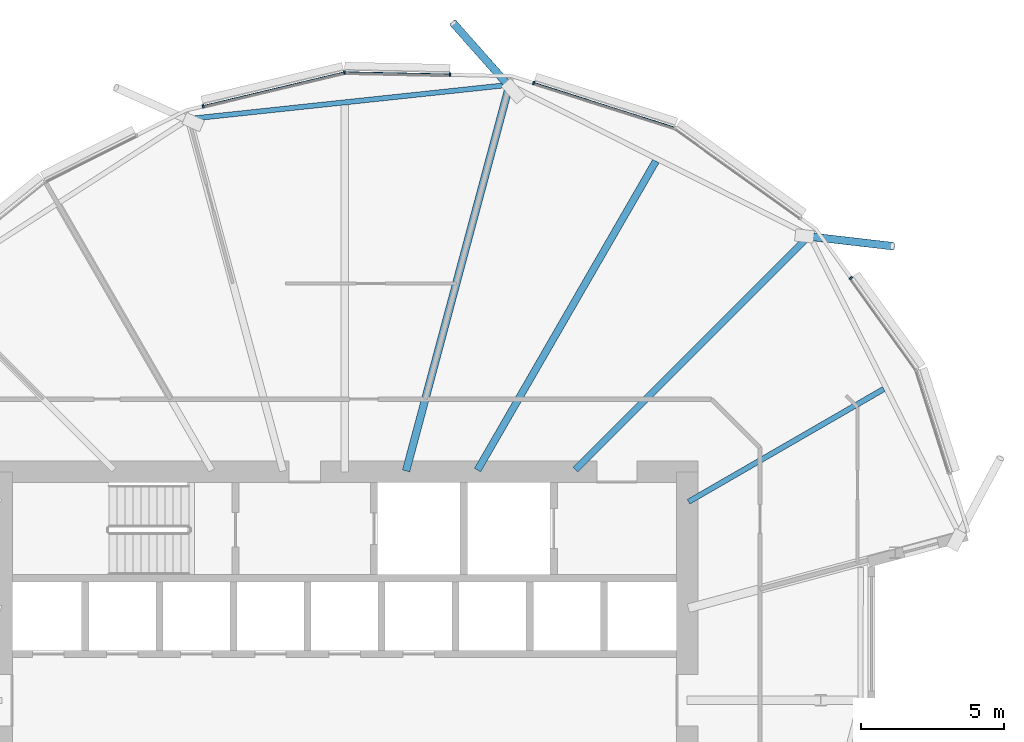
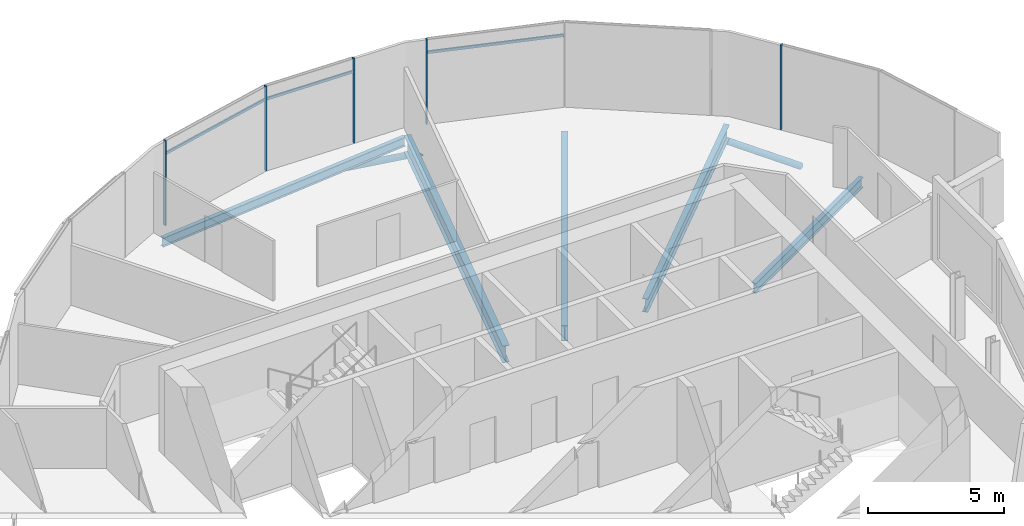
# One storey, part 18 of 39: 10 members, 5 beams, 1 element without a shape of its own.
"""IFC4 building model written with IfcOpenShell, lengths in metres."""

import ifcopenshell
import ifcopenshell.guid

model = None  # the IFC model being written
_history = None  # IfcOwnerHistory: only IFC2X3 demands one
_inside = {}  # id of a spatial element -> (the spatial element, [elements in it])
_under = {}  # id of a project, library or spatial element -> (it, [spatial elements below it])
_declared = {}  # id of a project -> (the project, [libraries it declares])
_typed = {}  # id of a type object -> (the type object, [elements of that type])
_made_of = {}  # id of a material, layer set ... -> (it, [elements and type objects made of it])


def new_model(schema):
    """Start an empty IFC model of exactly this schema.

    Asked for "IFC4X3", IfcOpenShell would pick the latest addendum, in which some entities
    have other attributes; the version numbers below select the first issue.
    IFC2X3 requires an IfcOwnerHistory on every rooted entity: one is made here for all.
    """
    global model, _history
    if schema == "IFC4X3":
        model = ifcopenshell.file(schema_version=(4, 3, 0, 0))
    else:
        model = ifcopenshell.file(schema=schema)
    _inside.clear()
    _under.clear()
    _declared.clear()
    _typed.clear()
    _made_of.clear()
    _history = None
    if model.schema == "IFC2X3":
        org = make("IfcOrganization", Name="unknown")
        user = make(
            "IfcPersonAndOrganization",
            ThePerson=make("IfcPerson", FamilyName="unknown"),
            TheOrganization=org,
        )
        app = make(
            "IfcApplication",
            ApplicationDeveloper=org,
            Version="unknown",
            ApplicationFullName="unknown",
            ApplicationIdentifier="unknown",
        )
        _history = make(
            "IfcOwnerHistory",
            OwningUser=user,
            OwningApplication=app,
            ChangeAction="ADDED",
            CreationDate=0,
        )
    return model


def make(cls, **values):
    """One entity of the class cls with the attributes given. An attribute that is None is left unset."""
    return model.create_entity(
        cls, **{name: value for name, value in values.items() if value is not None}
    )


def rooted(cls, **values):
    """An entity with a GlobalId (a new one), such as an element, a storey or a relation."""
    return make(cls, GlobalId=ifcopenshell.guid.new(), OwnerHistory=_history, **values)


def si_unit(unit_type, name, prefix=None):
    """IfcSIUnit, for example si_unit("LENGTHUNIT", "METRE", prefix="MILLI")."""
    return make("IfcSIUnit", UnitType=unit_type, Prefix=prefix, Name=name)


def assignment(units):
    """IfcUnitAssignment: the units of a project."""
    return None if units is None else make("IfcUnitAssignment", Units=units)


def point(xyz):
    """IfcCartesianPoint."""
    return None if xyz is None else make("IfcCartesianPoint", Coordinates=xyz)


def direction(xyz):
    """IfcDirection."""
    return None if xyz is None else make("IfcDirection", DirectionRatios=xyz)


def frame(location, z_axis=None, x_axis=None):
    """IfcAxis2Placement3D, a coordinate frame: its origin and axes. An axis left out is left unset."""
    return make(
        "IfcAxis2Placement3D",
        Location=point(location),
        Axis=direction(z_axis),
        RefDirection=direction(x_axis),
    )


def frame_2d(location, x_axis=None):
    """IfcAxis2Placement2D, a coordinate frame in the plane: its origin and x axis."""
    return make(
        "IfcAxis2Placement2D", Location=point(location), RefDirection=direction(x_axis)
    )


def origin():
    """The frame at (0, 0, 0) with its axes left unset."""
    return frame((0.0, 0.0, 0.0))


def origin_2d():
    """The frame at (0, 0) in the plane with its x axis left unset."""
    return frame_2d((0.0, 0.0))


def place(relative_to, where):
    """IfcLocalPlacement: puts the frame where relative to a parent placement (None: the world)."""
    return make(
        "IfcLocalPlacement", PlacementRelTo=relative_to, RelativePlacement=where
    )


def context(
    kind, dimensions, precision=None, world=None, true_north=None, identifier=None
):
    """IfcGeometricRepresentationContext, for example the 3D "Model" context."""
    return make(
        "IfcGeometricRepresentationContext",
        ContextIdentifier=identifier,
        ContextType=kind,
        CoordinateSpaceDimension=dimensions,
        Precision=precision,
        WorldCoordinateSystem=world,
        TrueNorth=true_north,
    )


def subcontext(parent, identifier, kind, view, scale=None):
    """IfcGeometricRepresentationSubContext, for example "Body" below "Model"."""
    return make(
        "IfcGeometricRepresentationSubContext",
        ContextIdentifier=identifier,
        ContextType=kind,
        ParentContext=parent,
        TargetScale=scale,
        TargetView=view,
    )


def project(units=None, contexts=None):
    """IfcProject with its units and contexts."""
    return rooted(
        "IfcProject",
        Name="project",
        RepresentationContexts=contexts,
        UnitsInContext=assignment(units),
    )


def spatial(cls, under=None, at=None, **own):
    """A site, building, storey or space (cls), placed at a placement, below another one or the project."""
    s = rooted(cls, ObjectPlacement=at, **own)
    if under is not None:
        _under.setdefault(under.id(), (under, []))[1].append(s)
    return s


def profile(cls, at=None, kind="AREA", **sizes):
    """A parametric profile (cls). Its sizes go by their IFC names, for example OverallWidth=200.0."""
    return make(cls, ProfileType=kind, Position=at, **sizes)


def rectangle(**sizes):
    """IfcRectangleProfileDef."""
    return profile("IfcRectangleProfileDef", **sizes)


def hollow_circle(**sizes):
    """IfcCircleHollowProfileDef."""
    return profile("IfcCircleHollowProfileDef", **sizes)


def i_section(**sizes):
    """IfcIShapeProfileDef."""
    return profile("IfcIShapeProfileDef", **sizes)


def extrude(swept, where, along, depth):
    """IfcExtrudedAreaSolid: the profile swept, set in the frame where, extruded along a direction by depth."""
    return make(
        "IfcExtrudedAreaSolid",
        SweptArea=swept,
        Position=where,
        ExtrudedDirection=direction(along),
        Depth=depth,
    )


def clip(a, b, op="DIFFERENCE"):
    """IfcBooleanClippingResult: the solid a cut by the half space b."""
    return make(
        "IfcBooleanClippingResult", Operator=op, FirstOperand=a, SecondOperand=b
    )


def halfspace(plane, agree):
    """IfcHalfSpaceSolid: all space on one side of the plane z = 0 of the frame plane."""
    return make(
        "IfcHalfSpaceSolid",
        BaseSurface=make("IfcPlane", Position=plane),
        AgreementFlag=agree,
    )


def shape(context_of_items, identifier, shape_type, items):
    """IfcShapeRepresentation: the items that make up one representation, for example the "Body"."""
    return make(
        "IfcShapeRepresentation",
        ContextOfItems=context_of_items,
        RepresentationIdentifier=identifier,
        RepresentationType=shape_type,
        Items=items,
    )


def material(Name=None, Category=None):
    """IfcMaterial."""
    return make("IfcMaterial", Name=Name, Category=Category)


def material_profile(
    of_material, cross_section, Name=None, Category=None, Priority=None
):
    """IfcMaterialProfile: a cross section and its material."""
    return make(
        "IfcMaterialProfile",
        Name=Name,
        Material=of_material,
        Profile=cross_section,
        Priority=Priority,
        Category=Category,
    )


def profile_set(profiles, Name=None, composite=None):
    """IfcMaterialProfileSet."""
    return make(
        "IfcMaterialProfileSet",
        Name=Name,
        MaterialProfiles=profiles,
        CompositeProfile=composite,
    )


def made_of(thing, what):
    """Note that an element or type object is made of a material, layer set ...; save() writes the relation."""
    if what is not None:
        _made_of.setdefault(what.id(), (what, []))[1].append(thing)
    return thing


def type_object(cls, material=None, **own):
    """A type object (cls), such as IfcWallType, which elements share."""
    return made_of(rooted(cls, **own), material)


def element(
    cls,
    number,
    at=None,
    inside=None,
    cuts=None,
    type_object=None,
    material=None,
    context=None,
    identifier="Body",
    shape_type=None,
    held_by="IfcProductDefinitionShape",
    body=None,
    shapes=None,
    **own,
):
    """One element of the class cls, such as IfcWall. Its Tag is "e" and its number.

    at: its placement. inside: the storey or other place that contains it. cuts: it is an
    opening in that element (IfcRelVoidsElement). A single representation is given by context,
    identifier, shape_type and body (its items); several are given by shapes. held_by: the class
    of the entity that holds the representations. save() writes the other relations.
    """
    e = rooted(cls, Tag="e%d" % number, ObjectPlacement=at, **own)
    if body is not None:
        shapes = [shape(context, identifier, shape_type, body)]
    if shapes is not None:
        e.Representation = make(held_by, Representations=shapes)
    if inside is not None:
        _inside.setdefault(inside.id(), (inside, []))[1].append(e)
    if cuts is not None:
        rooted(
            "IfcRelVoidsElement", RelatingBuildingElement=cuts, RelatedOpeningElement=e
        )
    if type_object is not None:
        _typed.setdefault(type_object.id(), (type_object, []))[1].append(e)
    return made_of(e, material)


def aggregate(whole, parts):
    """IfcRelAggregates: a whole, such as a stair, and the parts it consists of."""
    return rooted("IfcRelAggregates", RelatingObject=whole, RelatedObjects=parts)


def save(model, path):
    """Write the relations noted so far, then the file.

    IfcRelAggregates (storeys below a building ...), IfcRelContainedInSpatialStructure (elements
    in a storey), IfcRelDefinesByType, IfcRelAssociatesMaterial and IfcRelDeclares: one each for
    every whole, place, type object, material and project.
    """
    for whole, parts in _under.values():
        aggregate(whole, parts)
    for where, things in _inside.values():
        rooted(
            "IfcRelContainedInSpatialStructure",
            RelatedElements=things,
            RelatingStructure=where,
        )
    for kind, things in _typed.values():
        rooted("IfcRelDefinesByType", RelatedObjects=things, RelatingType=kind)
    for what, things in _made_of.values():
        rooted("IfcRelAssociatesMaterial", RelatedObjects=things, RelatingMaterial=what)
    for by, libraries in _declared.values():
        rooted("IfcRelDeclares", RelatingContext=by, RelatedDefinitions=libraries)
    model.write(path)


model = new_model("IFC4")

# Units and contexts
model_context = context("Model", 3, precision=1e-05, world=origin(), true_north=direction((0.0, 1.0)))
body_context = subcontext(model_context, "Body", "Model", "MODEL_VIEW")
ifc_project = project(units=[si_unit("LENGTHUNIT", "METRE"), si_unit("AREAUNIT", "SQUARE_METRE"), si_unit("VOLUMEUNIT", "CUBIC_METRE"), si_unit("PLANEANGLEUNIT", "RADIAN"), si_unit("MASSUNIT", "GRAM", prefix="KILO")], contexts=[model_context])

# Site, building, storey
site_placement = place(None, origin())
site = spatial("IfcSite", under=ifc_project, at=site_placement, CompositionType="ELEMENT")
building_placement = place(site_placement, origin())
building = spatial("IfcBuilding", under=site, at=building_placement, Name="Rimbun Link Towers", CompositionType="ELEMENT")
storey_placement = place(building_placement, frame((0.0, 0.0, 112.0)))
storey = spatial("IfcBuildingStorey", under=building, at=storey_placement, Name="L27", CompositionType="ELEMENT", Elevation=112.0)

# Curtain wall, members
ifc_material_1 = material(Name="Aluminium 6063-T6 and low-iron glass", Category="aluminium")
curtain_wall_type = type_object("IfcCurtainWallType", Name="CW1-Z2 unitised vision wall (zone 2)", PredefinedType="NOTDEFINED", material=ifc_material_1)
curtain_wall_placement = place(storey_placement, origin())
curtain_wall = element("IfcCurtainWall", 1, at=curtain_wall_placement, inside=storey, type_object=curtain_wall_type, Name="CW1 L27 T2", PredefinedType="NOTDEFINED")
ifc_material_2 = material(Name="Aluminium 6063-T6", Category="aluminium")
ifc_material_profile_1 = material_profile(ifc_material_2, rectangle(XDim=0.1201171875, YDim=0.06005859375, at=origin_2d()), Name="MULLION 60X120")
ifc_profile_set_1 = profile_set([ifc_material_profile_1], Name="Aluminium 6063-T6")
member_type_1 = type_object("IfcMemberType", Name="CW1 mullion 60X120", PredefinedType="MULLION", material=ifc_profile_set_1)
member_1_placement = place(storey_placement, frame((38.37353515625, 21.621337890625, 0.0), z_axis=(0.0, 0.0, 1.0), x_axis=(0.303057366512, 0.952972314709, 0.0)))
member_1 = element("IfcMember", 2, at=member_1_placement, type_object=member_type_1, Name="CW1 mullion", PredefinedType="MULLION", context=body_context, shape_type="SweptSolid", body=[
    extrude(rectangle(XDim=0.1201171875, YDim=0.06005859375, at=origin_2d()), origin(), (0.0, 0.0, 1.0), 3.800048828125),
])
member_2_placement = place(storey_placement, frame((31.74365234375, 21.9892578125, 0.0), z_axis=(0.0, 0.0, 1.0), x_axis=(-0.106632106355, 0.994298543645, 0.0)))
member_2 = element("IfcMember", 3, at=member_2_placement, type_object=member_type_1, Name="CW1 mullion", PredefinedType="MULLION", context=body_context, shape_type="SweptSolid", body=[
    extrude(rectangle(XDim=0.1201171875, YDim=0.06005859375, at=origin_2d()), origin(), (0.0, 0.0, 1.0), 3.800048828125),
])
member_3_placement = place(storey_placement, frame((35.44482421875, 21.911865234375, 0.0), z_axis=(0.0, 0.0, 1.0), x_axis=(0.021063270517, 0.999778144708, 0.0)))
member_3 = element("IfcMember", 4, at=member_3_placement, type_object=member_type_1, Name="CW1 mullion", PredefinedType="MULLION", context=body_context, shape_type="SweptSolid", body=[
    extrude(rectangle(XDim=0.1201171875, YDim=0.06005859375, at=origin_2d()), origin(), (0.0, 0.0, 1.0), 3.800048828125),
])
member_4_placement = place(storey_placement, frame((26.79736328125, 20.806884765625, 0.0), z_axis=(0.0, 0.0, 1.0), x_axis=(-0.232585526726, 0.972575947038, 0.0)))
member_4 = element("IfcMember", 5, at=member_4_placement, type_object=member_type_1, Name="CW1 mullion", PredefinedType="MULLION", context=body_context, shape_type="SweptSolid", body=[
    extrude(rectangle(XDim=0.1201171875, YDim=0.06005859375, at=origin_2d()), origin(), (0.0, 0.0, 1.0), 3.800048828125),
])
member_5_placement = place(storey_placement, frame((49.486328125, 14.7919921875, 0.0), z_axis=(0.0, 0.0, 1.0), x_axis=(0.812467340473, 0.583006707221, 0.0)))
member_5 = element("IfcMember", 6, at=member_5_placement, type_object=member_type_1, Name="CW1 mullion", PredefinedType="MULLION", context=body_context, shape_type="SweptSolid", body=[
    extrude(rectangle(XDim=0.1201171875, YDim=0.06005859375, at=origin_2d()), origin(), (0.0, 0.0, 1.0), 3.800048828125),
])
ifc_material_3 = material(Name="Aluminium 6063-T6", Category="aluminium")
ifc_material_profile_2 = material_profile(ifc_material_3, rectangle(XDim=0.06005859375, YDim=0.1201171875, at=origin_2d()), Name="TRANSOM 60X120")
ifc_profile_set_2 = profile_set([ifc_material_profile_2], Name="Aluminium 6063-T6")
member_type_2 = type_object("IfcMemberType", Name="CW1 transom 60X120", PredefinedType="USERDEFINED", material=ifc_profile_set_2)
member_6_placement = place(storey_placement, frame((38.401611328125, 21.6103515625, 3.199951171875), z_axis=(0.952968340457, -0.303069863377, 0.0), x_axis=(0.303069863377, 0.952968340457, 0.0)))
member_6 = element("IfcMember", 7, at=member_6_placement, type_object=member_type_2, Name="CW1 transom", ObjectType="TRANSOM", PredefinedType="USERDEFINED", context=body_context, shape_type="SweptSolid", body=[
    extrude(rectangle(XDim=0.06005859375, YDim=0.1201171875, at=origin_2d()), origin(), (0.0, 0.0, 1.0), 5.121826171875),
])
member_7_placement = place(storey_placement, frame((31.78125, 21.987060546875, 3.199951171875), z_axis=(0.999777513645, -0.021093202935, 0.0), x_axis=(0.021093202935, 0.999777513645, 0.0)))
member_7 = element("IfcMember", 8, at=member_7_placement, type_object=member_type_2, Name="CW1 transom", ObjectType="TRANSOM", PredefinedType="USERDEFINED", context=body_context, shape_type="SweptSolid", body=[
    extrude(rectangle(XDim=0.06005859375, YDim=0.1201171875, at=origin_2d()), origin(), (0.0, 0.0, 1.0), 3.63427734375),
])
member_8_placement = place(storey_placement, frame((26.8271484375, 20.81201171875, 3.199951171875), z_axis=(0.972578652399, 0.232574213741, 0.0), x_axis=(-0.232574213741, 0.972578652399, 0.0)))
member_8 = element("IfcMember", 9, at=member_8_placement, type_object=member_type_2, Name="CW1 transom", ObjectType="TRANSOM", PredefinedType="USERDEFINED", context=body_context, shape_type="SweptSolid", body=[
    extrude(rectangle(XDim=0.06005859375, YDim=0.1201171875, at=origin_2d()), origin(), (0.0, 0.0, 1.0), 5.017822265625),
])
aggregate(curtain_wall, [member_1, member_2, member_3, member_4, member_5, member_6, member_7, member_8])

# Members
ifc_material_4 = material(Name="Steel S355J2H", Category="steel")
ifc_material_profile_3 = material_profile(ifc_material_4, hollow_circle(Radius=0.136474609375, WallThickness=0.012451171875, at=origin_2d()), Name="CHS 273x12.5")
ifc_profile_set_3 = profile_set([ifc_material_profile_3], Name="Steel S355J2H")
member_type_3 = type_object("IfcMemberType", Name="Floor edge link CHS 273x12.5", PredefinedType="BRACE", material=ifc_profile_set_3)
member_9_placement = place(storey_placement, frame((47.998779296875, 16.248779296875, -0.876708984375), z_axis=(0.828517239855, -0.096074856394, -0.551660044985), x_axis=(0.11518813147, 0.993343693979, 0.0)))
element("IfcMember", 10, at=member_9_placement, inside=storey, type_object=member_type_3, Name="Floor edge link T2 L27 00", PredefinedType="BRACE", context=body_context, shape_type="Clipping", body=[
    clip(extrude(hollow_circle(Radius=0.136474609375, WallThickness=0.012451171875, at=origin_2d()), frame((0.0, 0.0, -0.430908203125)), (0.0, 0.0, 1.0), 3.99609375), halfspace(frame((0.0, 0.0, -0.203125), z_axis=(0.0, 0.834069058752, -0.551660044985)), False)),
])
member_10_placement = place(storey_placement, frame((37.513427734375, 21.509521484375, -1.046875), z_axis=(-0.604227480908, 0.681819534467, -0.412348485791), x_axis=(-0.748408266318, -0.663238318335, 0.0)))
element("IfcMember", 11, at=member_10_placement, inside=storey, type_object=member_type_3, Name="Floor edge link T2 L27 02", PredefinedType="BRACE", context=body_context, shape_type="Clipping", body=[
    clip(extrude(hollow_circle(Radius=0.136474609375, WallThickness=0.012451171875, at=origin_2d()), frame((0.0, 0.0, -0.627197265625)), (0.0, 0.0, 1.0), 3.880859375), halfspace(frame((0.0, 0.0, -0.297607421875), z_axis=(0.0, 0.911026194061, -0.412348485791)), False)),
])

# Beams
ifc_material_5 = material(Name="Steel S355J2", Category="steel")
ifc_material_profile_4 = material_profile(ifc_material_5, i_section(OverallWidth=0.177978515625, OverallDepth=0.406494140625, WebThickness=0.0078125, FlangeThickness=0.0126953125, at=origin_2d()), Name="UB 406x178x60")
ifc_profile_set_4 = profile_set([ifc_material_profile_4], Name="Steel S355J2")
beam_type_1 = type_object("IfcBeamType", Name="UB 406x178x60", PredefinedType="BEAM", material=ifc_profile_set_4)
beam_1_placement = place(storey_placement, frame((37.38330078125, 21.54248046875, -0.36328125), z_axis=(-0.994386731761, -0.105806557916, 0.0), x_axis=(0.105806557916, -0.994386731761, 0.0)))
element("IfcBeam", 12, at=beam_1_placement, inside=storey, type_object=beam_type_1, Name="Edge beam T2 L27 02-04", PredefinedType="BEAM", context=body_context, shape_type="SweptSolid", body=[
    extrude(i_section(OverallWidth=0.177978515625, OverallDepth=0.406494140625, WebThickness=0.0078125, FlangeThickness=0.0126953125, at=origin_2d()), origin(), (0.0, 0.0, 1.0), 11.0224609375),
])
ifc_material_6 = material(Name="Steel S355J2", Category="steel")
ifc_material_profile_5 = material_profile(ifc_material_6, i_section(OverallWidth=0.18994140625, OverallDepth=0.453369140625, WebThickness=0.008544921875, FlangeThickness=0.0126953125, at=origin_2d()), Name="UB 457x191x67")
ifc_profile_set_5 = profile_set([ifc_material_profile_5], Name="Steel S355J2")
beam_type_2 = type_object("IfcBeamType", Name="UB 457x191x67", PredefinedType="BEAM", material=ifc_profile_set_5)
beam_2_placement = place(storey_placement, frame((43.79833984375, 6.9560546875, -0.38671875), z_axis=(0.866022826155, 0.500004464558, 0.0), x_axis=(-0.500004464558, 0.866022826155, 0.0)))
element("IfcBeam", 13, at=beam_2_placement, inside=storey, type_object=beam_type_2, Name="Radial beam T2 L27 23", PredefinedType="BEAM", context=body_context, shape_type="SweptSolid", body=[
    extrude(i_section(OverallWidth=0.18994140625, OverallDepth=0.453369140625, WebThickness=0.008544921875, FlangeThickness=0.0126953125, at=origin_2d()), origin(), (0.0, 0.0, 1.0), 7.8935546875),
])
ifc_material_7 = material(Name="Steel S355J2", Category="steel")
ifc_material_profile_6 = material_profile(ifc_material_7, i_section(OverallWidth=0.2275390625, OverallDepth=0.6025390625, WebThickness=0.010498046875, FlangeThickness=0.014892578125, at=origin_2d()), Name="UB 610x229x101")
ifc_profile_set_6 = profile_set([ifc_material_profile_6], Name="Steel S355J2")
beam_type_3 = type_object("IfcBeamType", Name="UB 610x229x101", PredefinedType="BEAM", material=ifc_profile_set_6)
beam_3_placement = place(storey_placement, frame((39.831298828125, 8.081298828125, -0.461181640625), z_axis=(0.707106781187, 0.707106781187, 0.0), x_axis=(-0.707106781187, 0.707106781187, 0.0)))
element("IfcBeam", 14, at=beam_3_placement, inside=storey, type_object=beam_type_3, Name="Radial beam T2 L27 00", PredefinedType="BEAM", context=body_context, shape_type="SweptSolid", body=[
    extrude(i_section(OverallWidth=0.2275390625, OverallDepth=0.6025390625, WebThickness=0.010498046875, FlangeThickness=0.014892578125, at=origin_2d()), origin(), (0.0, 0.0, 1.0), 11.6005859375),
])
ifc_material_8 = material(Name="Steel S355J2", Category="steel")
ifc_material_profile_7 = material_profile(ifc_material_8, i_section(OverallWidth=0.253662109375, OverallDepth=0.68359375, WebThickness=0.012451171875, FlangeThickness=0.01904296875, at=origin_2d()), Name="UB 686x254x140")
ifc_profile_set_7 = profile_set([ifc_material_profile_7], Name="Steel S355J2")
beam_type_4 = type_object("IfcBeamType", Name="UB 686x254x140", PredefinedType="BEAM", material=ifc_profile_set_7)
beam_4_placement = place(storey_placement, frame((36.406005859375, 8.064208984375, -0.501708984375), z_axis=(0.499991403274, 0.86603036705, 0.0), x_axis=(-0.86603036705, 0.499991403274, 0.0)))
element("IfcBeam", 15, at=beam_4_placement, inside=storey, type_object=beam_type_4, Name="Radial beam T2 L27 01", PredefinedType="BEAM", context=body_context, shape_type="SweptSolid", body=[
    extrude(i_section(OverallWidth=0.253662109375, OverallDepth=0.68359375, WebThickness=0.012451171875, FlangeThickness=0.01904296875, at=origin_2d()), origin(), (0.0, 0.0, 1.0), 12.493896484375),
])
ifc_material_9 = material(Name="Steel S355J2", Category="steel")
ifc_material_profile_8 = material_profile(ifc_material_9, i_section(OverallWidth=0.2666015625, OverallDepth=0.76220703125, WebThickness=0.014404296875, FlangeThickness=0.021484375, at=origin_2d()), Name="UB 762x267x173")
ifc_profile_set_8 = profile_set([ifc_material_profile_8], Name="Steel S355J2")
beam_type_5 = type_object("IfcBeamType", Name="UB 762x267x173", PredefinedType="BEAM", material=ifc_profile_set_8)
beam_5_placement = place(storey_placement, frame((33.903076171875, 8.035400390625, -0.541015625), z_axis=(0.25881628113, 0.965926566889, 0.0), x_axis=(-0.965926566889, 0.25881628113, 0.0)))
element("IfcBeam", 16, at=beam_5_placement, inside=storey, type_object=beam_type_5, Name="Radial beam T2 L27 02", PredefinedType="BEAM", context=body_context, shape_type="SweptSolid", body=[
    extrude(i_section(OverallWidth=0.2666015625, OverallDepth=0.76220703125, WebThickness=0.014404296875, FlangeThickness=0.021484375, at=origin_2d()), origin(), (0.0, 0.0, 1.0), 13.99951171875),
])

save(model, "model.ifc")
